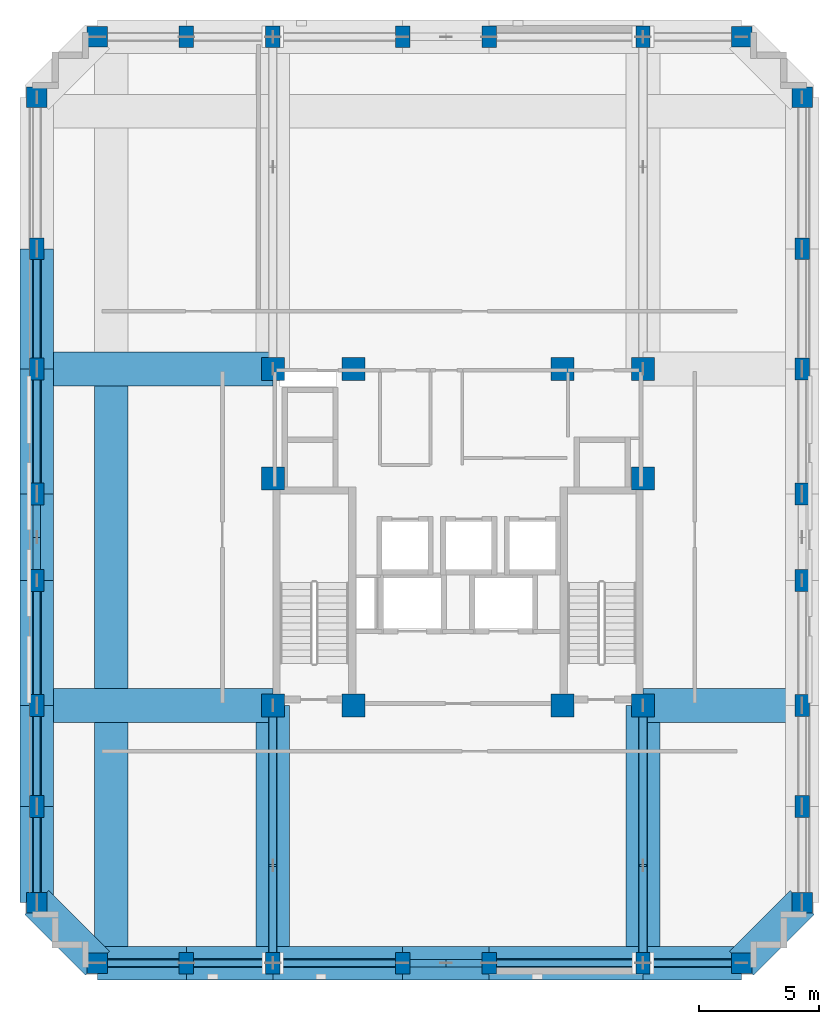
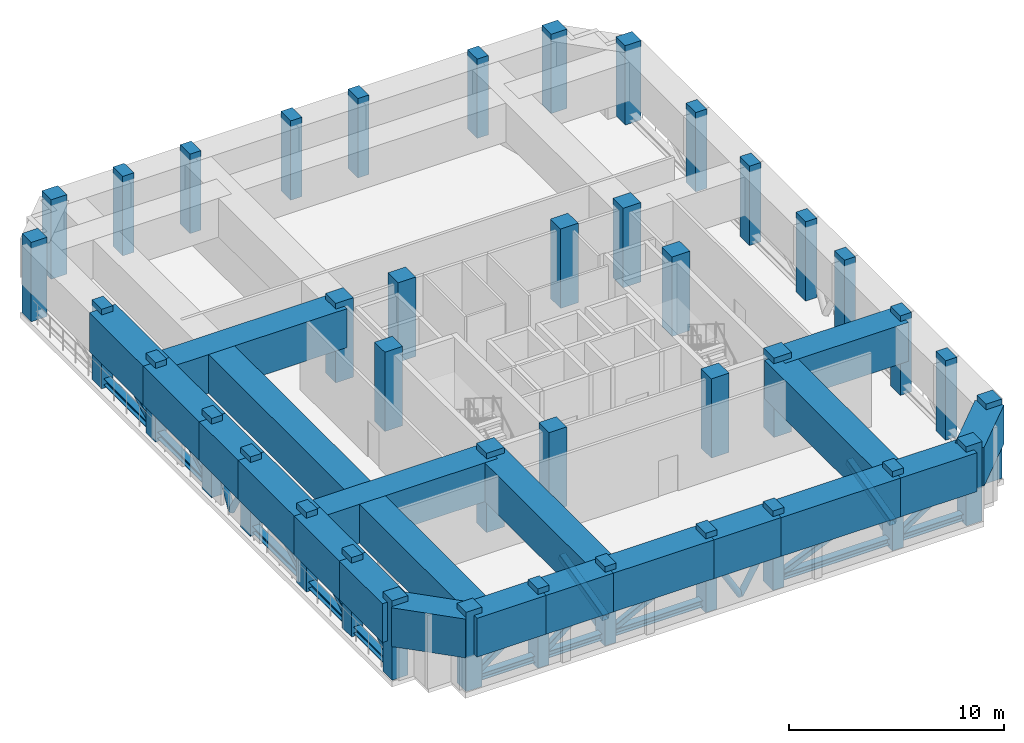
# One storey, part 1 of 12: 40 columns, 28 members, 21 beams.
"""IFC4 building model written with IfcOpenShell, lengths in metres."""

import ifcopenshell
import ifcopenshell.guid

model = None  # the IFC model being written
_history = None  # IfcOwnerHistory: only IFC2X3 demands one
_inside = {}  # id of a spatial element -> (the spatial element, [elements in it])
_under = {}  # id of a project, library or spatial element -> (it, [spatial elements below it])
_declared = {}  # id of a project -> (the project, [libraries it declares])
_typed = {}  # id of a type object -> (the type object, [elements of that type])
_made_of = {}  # id of a material, layer set ... -> (it, [elements and type objects made of it])


def new_model(schema):
    """Start an empty IFC model of exactly this schema.

    Asked for "IFC4X3", IfcOpenShell would pick the latest addendum, in which some entities
    have other attributes; the version numbers below select the first issue.
    IFC2X3 requires an IfcOwnerHistory on every rooted entity: one is made here for all.
    """
    global model, _history
    if schema == "IFC4X3":
        model = ifcopenshell.file(schema_version=(4, 3, 0, 0))
    else:
        model = ifcopenshell.file(schema=schema)
    _inside.clear()
    _under.clear()
    _declared.clear()
    _typed.clear()
    _made_of.clear()
    _history = None
    if model.schema == "IFC2X3":
        org = make("IfcOrganization", Name="unknown")
        user = make(
            "IfcPersonAndOrganization",
            ThePerson=make("IfcPerson", FamilyName="unknown"),
            TheOrganization=org,
        )
        app = make(
            "IfcApplication",
            ApplicationDeveloper=org,
            Version="unknown",
            ApplicationFullName="unknown",
            ApplicationIdentifier="unknown",
        )
        _history = make(
            "IfcOwnerHistory",
            OwningUser=user,
            OwningApplication=app,
            ChangeAction="ADDED",
            CreationDate=0,
        )
    return model


def make(cls, **values):
    """One entity of the class cls with the attributes given. An attribute that is None is left unset."""
    return model.create_entity(
        cls, **{name: value for name, value in values.items() if value is not None}
    )


def rooted(cls, **values):
    """An entity with a GlobalId (a new one), such as an element, a storey or a relation."""
    return make(cls, GlobalId=ifcopenshell.guid.new(), OwnerHistory=_history, **values)


def si_unit(unit_type, name, prefix=None):
    """IfcSIUnit, for example si_unit("LENGTHUNIT", "METRE", prefix="MILLI")."""
    return make("IfcSIUnit", UnitType=unit_type, Prefix=prefix, Name=name)


def derived_unit(unit_type, elements):
    """IfcDerivedUnit: a product of units, each with its exponent."""
    return make(
        "IfcDerivedUnit",
        Elements=[
            make("IfcDerivedUnitElement", Unit=unit, Exponent=power)
            for unit, power in elements
        ],
        UnitType=unit_type,
    )


def assignment(units):
    """IfcUnitAssignment: the units of a project."""
    return None if units is None else make("IfcUnitAssignment", Units=units)


def point(xyz):
    """IfcCartesianPoint."""
    return None if xyz is None else make("IfcCartesianPoint", Coordinates=xyz)


def direction(xyz):
    """IfcDirection."""
    return None if xyz is None else make("IfcDirection", DirectionRatios=xyz)


def frame(location, z_axis=None, x_axis=None):
    """IfcAxis2Placement3D, a coordinate frame: its origin and axes. An axis left out is left unset."""
    return make(
        "IfcAxis2Placement3D",
        Location=point(location),
        Axis=direction(z_axis),
        RefDirection=direction(x_axis),
    )


def frame_2d(location, x_axis=None):
    """IfcAxis2Placement2D, a coordinate frame in the plane: its origin and x axis."""
    return make(
        "IfcAxis2Placement2D", Location=point(location), RefDirection=direction(x_axis)
    )


def origin():
    """The frame at (0, 0, 0) with its axes left unset."""
    return frame((0.0, 0.0, 0.0))


def origin_2d():
    """The frame at (0, 0) in the plane with its x axis left unset."""
    return frame_2d((0.0, 0.0))


def place(relative_to, where):
    """IfcLocalPlacement: puts the frame where relative to a parent placement (None: the world)."""
    return make(
        "IfcLocalPlacement", PlacementRelTo=relative_to, RelativePlacement=where
    )


def context(
    kind, dimensions, precision=None, world=None, true_north=None, identifier=None
):
    """IfcGeometricRepresentationContext, for example the 3D "Model" context."""
    return make(
        "IfcGeometricRepresentationContext",
        ContextIdentifier=identifier,
        ContextType=kind,
        CoordinateSpaceDimension=dimensions,
        Precision=precision,
        WorldCoordinateSystem=world,
        TrueNorth=true_north,
    )


def subcontext(parent, identifier, kind, view, scale=None):
    """IfcGeometricRepresentationSubContext, for example "Body" below "Model"."""
    return make(
        "IfcGeometricRepresentationSubContext",
        ContextIdentifier=identifier,
        ContextType=kind,
        ParentContext=parent,
        TargetScale=scale,
        TargetView=view,
    )


def project(units=None, contexts=None):
    """IfcProject with its units and contexts."""
    return rooted(
        "IfcProject",
        Name="project",
        RepresentationContexts=contexts,
        UnitsInContext=assignment(units),
    )


def spatial(cls, under=None, at=None, **own):
    """A site, building, storey or space (cls), placed at a placement, below another one or the project."""
    s = rooted(cls, ObjectPlacement=at, **own)
    if under is not None:
        _under.setdefault(under.id(), (under, []))[1].append(s)
    return s


def profile(cls, at=None, kind="AREA", **sizes):
    """A parametric profile (cls). Its sizes go by their IFC names, for example OverallWidth=200.0."""
    return make(cls, ProfileType=kind, Position=at, **sizes)


def rectangle(**sizes):
    """IfcRectangleProfileDef."""
    return profile("IfcRectangleProfileDef", **sizes)


def hollow_rectangle(**sizes):
    """IfcRectangleHollowProfileDef."""
    return profile("IfcRectangleHollowProfileDef", **sizes)


def hollow_circle(**sizes):
    """IfcCircleHollowProfileDef."""
    return profile("IfcCircleHollowProfileDef", **sizes)


def i_section(**sizes):
    """IfcIShapeProfileDef."""
    return profile("IfcIShapeProfileDef", **sizes)


def extrude(swept, where, along, depth):
    """IfcExtrudedAreaSolid: the profile swept, set in the frame where, extruded along a direction by depth."""
    return make(
        "IfcExtrudedAreaSolid",
        SweptArea=swept,
        Position=where,
        ExtrudedDirection=direction(along),
        Depth=depth,
    )


def shape(context_of_items, identifier, shape_type, items):
    """IfcShapeRepresentation: the items that make up one representation, for example the "Body"."""
    return make(
        "IfcShapeRepresentation",
        ContextOfItems=context_of_items,
        RepresentationIdentifier=identifier,
        RepresentationType=shape_type,
        Items=items,
    )


def material(Name=None, Category=None):
    """IfcMaterial."""
    return make("IfcMaterial", Name=Name, Category=Category)


def material_profile(
    of_material, cross_section, Name=None, Category=None, Priority=None
):
    """IfcMaterialProfile: a cross section and its material."""
    return make(
        "IfcMaterialProfile",
        Name=Name,
        Material=of_material,
        Profile=cross_section,
        Priority=Priority,
        Category=Category,
    )


def profile_set(profiles, Name=None, composite=None):
    """IfcMaterialProfileSet."""
    return make(
        "IfcMaterialProfileSet",
        Name=Name,
        MaterialProfiles=profiles,
        CompositeProfile=composite,
    )


def made_of(thing, what):
    """Note that an element or type object is made of a material, layer set ...; save() writes the relation."""
    if what is not None:
        _made_of.setdefault(what.id(), (what, []))[1].append(thing)
    return thing


def type_object(cls, material=None, **own):
    """A type object (cls), such as IfcWallType, which elements share."""
    return made_of(rooted(cls, **own), material)


def element(
    cls,
    number,
    at=None,
    inside=None,
    cuts=None,
    type_object=None,
    material=None,
    context=None,
    identifier="Body",
    shape_type=None,
    held_by="IfcProductDefinitionShape",
    body=None,
    shapes=None,
    **own,
):
    """One element of the class cls, such as IfcWall. Its Tag is "e" and its number.

    at: its placement. inside: the storey or other place that contains it. cuts: it is an
    opening in that element (IfcRelVoidsElement). A single representation is given by context,
    identifier, shape_type and body (its items); several are given by shapes. held_by: the class
    of the entity that holds the representations. save() writes the other relations.
    """
    e = rooted(cls, Tag="e%d" % number, ObjectPlacement=at, **own)
    if body is not None:
        shapes = [shape(context, identifier, shape_type, body)]
    if shapes is not None:
        e.Representation = make(held_by, Representations=shapes)
    if inside is not None:
        _inside.setdefault(inside.id(), (inside, []))[1].append(e)
    if cuts is not None:
        rooted(
            "IfcRelVoidsElement", RelatingBuildingElement=cuts, RelatedOpeningElement=e
        )
    if type_object is not None:
        _typed.setdefault(type_object.id(), (type_object, []))[1].append(e)
    return made_of(e, material)


def aggregate(whole, parts):
    """IfcRelAggregates: a whole, such as a stair, and the parts it consists of."""
    return rooted("IfcRelAggregates", RelatingObject=whole, RelatedObjects=parts)


def save(model, path):
    """Write the relations noted so far, then the file.

    IfcRelAggregates (storeys below a building ...), IfcRelContainedInSpatialStructure (elements
    in a storey), IfcRelDefinesByType, IfcRelAssociatesMaterial and IfcRelDeclares: one each for
    every whole, place, type object, material and project.
    """
    for whole, parts in _under.values():
        aggregate(whole, parts)
    for where, things in _inside.values():
        rooted(
            "IfcRelContainedInSpatialStructure",
            RelatedElements=things,
            RelatingStructure=where,
        )
    for kind, things in _typed.values():
        rooted("IfcRelDefinesByType", RelatedObjects=things, RelatingType=kind)
    for what, things in _made_of.values():
        rooted("IfcRelAssociatesMaterial", RelatedObjects=things, RelatingMaterial=what)
    for by, libraries in _declared.values():
        rooted("IfcRelDeclares", RelatingContext=by, RelatedDefinitions=libraries)
    model.write(path)


model = new_model("IFC4")

# Units and contexts
model_context = context("Model", 3, precision=1e-05, world=origin(), true_north=direction((0.0, 1.0)))
body_context = subcontext(model_context, "Body", "Model", "MODEL_VIEW")
ifc_project = project(units=[si_unit("LENGTHUNIT", "METRE"), si_unit("AREAUNIT", "SQUARE_METRE"), si_unit("VOLUMEUNIT", "CUBIC_METRE"), si_unit("PLANEANGLEUNIT", "RADIAN"), si_unit("MASSUNIT", "GRAM", prefix="KILO"), derived_unit("THERMALTRANSMITTANCEUNIT", [(si_unit("MASSUNIT", "GRAM", prefix="KILO"), 1), (si_unit("TIMEUNIT", "SECOND"), -3), (si_unit("THERMODYNAMICTEMPERATUREUNIT", "KELVIN"), -1)])], contexts=[model_context])

# Site, building, storey
site_placement = place(None, origin())
site = spatial("IfcSite", under=ifc_project, at=site_placement, CompositionType="ELEMENT")
building_placement = place(site_placement, origin())
building = spatial("IfcBuilding", under=site, at=building_placement, Name="Korrvale Station Residences", CompositionType="ELEMENT")
storey_placement = place(building_placement, frame((0.0, 0.0, 169.89990234375)))
storey = spatial("IfcBuildingStorey", under=building, at=storey_placement, Name="L49", CompositionType="ELEMENT", Elevation=169.89990234375)

# Columns
ifc_material_1 = material(Name="Concrete C60/75", Category="concrete")
ifc_material_profile_1 = material_profile(ifc_material_1, rectangle(XDim=0.60009765625, YDim=0.89990234375, at=origin_2d()), Name="RC600x900")
ifc_profile_set_1 = profile_set([ifc_material_profile_1], Name="Concrete C60/75")
column_type_1 = type_object("IfcColumnType", Name="COL-C-RC600x900-C6075", PredefinedType="COLUMN", material=ifc_profile_set_1)
for number, where, z_axis, x_axis, name in (
    (1, (14.199951171875, 4.280029296875, 0.0), (0.0, 0.0, 1.0), (1.0, 0.0, 0.0), "L49 Bundled-Tube South Column 02"),
    (2, (17.800048828125, 4.280029296875, 0.0), (0.0, 0.0, 1.0), (1.0, 0.0, 0.0), "L49 Bundled-Tube South Column 03"),
    (3, (23.199951171875, 4.280029296875, 0.0), (0.0, 0.0, 1.0), (1.0, 0.0, 0.0), "L49 Bundled-Tube South Column 04"),
    (4, (26.800048828125, 4.280029296875, 0.0), (0.0, 0.0, 1.0), (1.0, 0.0, 0.0), "L49 Bundled-Tube South Column 05"),
    (5, (33.199951171875, 4.280029296875, 0.0), (0.0, 0.0, 1.0), (1.0, 0.0, 0.0), "L49 Bundled-Tube South Column 06"),
    (6, (14.199951171875, 42.820068359375, 0.0), (0.0, 0.0, 1.0), (1.0, 0.0, 0.0), "L49 Bundled-Tube North Column 09"),
    (7, (17.800048828125, 42.820068359375, 0.0), (0.0, 0.0, 1.0), (1.0, 0.0, 0.0), "L49 Bundled-Tube North Column 10"),
    (8, (23.199951171875, 42.820068359375, 0.0), (0.0, 0.0, 1.0), (1.0, 0.0, 0.0), "L49 Bundled-Tube North Column 11"),
    (9, (26.800048828125, 42.820068359375, 0.0), (0.0, 0.0, 1.0), (1.0, 0.0, 0.0), "L49 Bundled-Tube North Column 12"),
    (10, (33.199951171875, 42.820068359375, 0.0), (0.0, 0.0, 1.0), (1.0, 0.0, 0.0), "L49 Bundled-Tube North Column 13"),
    (11, (7.97998046875, 10.800048828125, 0.0), (0.0, 0.0, 1.0), (1.0, 0.0, 0.0), "L49 Bundled-Tube West Column 16"),
    (12, (7.97998046875, 15.0, 0.0), (0.0, 0.0, 1.0), (1.0, 0.0, 0.0), "L49 Bundled-Tube West Column 17"),
    (13, (7.97998046875, 20.199951171875, 0.0), (0.0, 0.0, 1.0), (1.0, 0.0, 0.0), "L49 Bundled-Tube West Column 18"),
    (14, (7.97998046875, 23.800048828125, 0.0), (0.0, 0.0, 1.0), (1.0, 0.0, 0.0), "L49 Bundled-Tube West Column 19"),
    (15, (7.97998046875, 29.0, 0.0), (0.0, 0.0, 1.0), (1.0, 0.0, 0.0), "L49 Bundled-Tube West Column 20"),
    (16, (7.97998046875, 34.0, 0.0), (0.0, 0.0, 1.0), (1.0, 0.0, 0.0), "L49 Bundled-Tube West Column 21"),
    (17, (39.820068359375, 10.800048828125, 0.0), (0.0, 0.0, 1.0), (1.0, 0.0, 0.0), "L49 Bundled-Tube East Column 24"),
    (18, (39.820068359375, 15.0, 0.0), (0.0, 0.0, 1.0), (1.0, 0.0, 0.0), "L49 Bundled-Tube East Column 25"),
    (19, (39.820068359375, 20.199951171875, 0.0), (0.0, 0.0, 1.0), (1.0, 0.0, 0.0), "L49 Bundled-Tube East Column 26"),
    (20, (39.820068359375, 23.800048828125, 0.0), (0.0, 0.0, 1.0), (1.0, 0.0, 0.0), "L49 Bundled-Tube East Column 27"),
    (21, (39.820068359375, 29.0, 0.0), (0.0, 0.0, 1.0), (1.0, 0.0, 0.0), "L49 Bundled-Tube East Column 28"),
    (22, (39.820068359375, 34.0, 0.0), (0.0, 0.0, 1.0), (1.0, 0.0, 0.0), "L49 Bundled-Tube East Column 29"),
):
    element("IfcColumn", number, at=place(storey_placement, frame(where, z_axis=z_axis, x_axis=x_axis)), inside=storey, type_object=column_type_1, Name=name, PredefinedType="COLUMN", context=body_context, shape_type="SweptSolid", body=[
        extrude(rectangle(XDim=0.60009765625, YDim=0.89990234375, at=origin_2d()), origin(), (0.0, 0.0, 1.0), 4.5),
    ])
ifc_material_profile_2 = material_profile(ifc_material_1, rectangle(XDim=0.85009765625, YDim=0.85009765625, at=origin_2d()), Name="RC850x850")
ifc_profile_set_2 = profile_set([ifc_material_profile_2], Name="Concrete C60/75")
column_type_2 = type_object("IfcColumnType", Name="COL-C-RC850x850-C6075", PredefinedType="COLUMN", material=ifc_profile_set_2)
for number, where, z_axis, x_axis, name in (
    (23, (10.5, 4.280029296875, 0.0), (0.0, 0.0, 1.0), (1.0, 0.0, 0.0), "L49 Bundled-Tube South Column 01"),
    (24, (37.300048828125, 4.280029296875, 0.0), (0.0, 0.0, 1.0), (1.0, 0.0, 0.0), "L49 Bundled-Tube South Column 07"),
    (25, (10.5, 42.820068359375, 0.0), (0.0, 0.0, 1.0), (1.0, 0.0, 0.0), "L49 Bundled-Tube North Column 08"),
    (26, (37.300048828125, 42.820068359375, 0.0), (0.0, 0.0, 1.0), (1.0, 0.0, 0.0), "L49 Bundled-Tube North Column 14"),
    (27, (7.97998046875, 6.800048828125, 0.0), (0.0, 0.0, 1.0), (1.0, 0.0, 0.0), "L49 Bundled-Tube West Column 15"),
    (28, (7.97998046875, 40.300048828125, 0.0), (0.0, 0.0, 1.0), (1.0, 0.0, 0.0), "L49 Bundled-Tube West Column 22"),
    (29, (39.820068359375, 6.800048828125, 0.0), (0.0, 0.0, 1.0), (1.0, 0.0, 0.0), "L49 Bundled-Tube East Column 23"),
    (30, (39.820068359375, 40.300048828125, 0.0), (0.0, 0.0, 1.0), (1.0, 0.0, 0.0), "L49 Bundled-Tube East Column 30"),
):
    element("IfcColumn", number, at=place(storey_placement, frame(where, z_axis=z_axis, x_axis=x_axis)), inside=storey, type_object=column_type_2, Name=name, PredefinedType="COLUMN", context=body_context, shape_type="SweptSolid", body=[
        extrude(rectangle(XDim=0.85009765625, YDim=0.85009765625, at=origin_2d()), origin(), (0.0, 0.0, 1.0), 4.5),
    ])
ifc_material_profile_3 = material_profile(ifc_material_1, rectangle(XDim=0.949951171875, YDim=0.949951171875, at=origin_2d()), Name="RC950x950")
ifc_profile_set_3 = profile_set([ifc_material_profile_3], Name="Concrete C60/75")
column_type_3 = type_object("IfcColumnType", Name="COL-C-RC950x950-C6075", PredefinedType="COLUMN", material=ifc_profile_set_3)
for number, where, z_axis, x_axis, name in (
    (31, (17.800048828125, 15.0, 0.0), (0.0, 0.0, 1.0), (1.0, 0.0, 0.0), "L49 Core Column 01"),
    (32, (21.14990234375, 15.0, 0.0), (0.0, 0.0, 1.0), (1.0, 0.0, 0.0), "L49 Core Column 02"),
    (33, (29.85009765625, 15.0, 0.0), (0.0, 0.0, 1.0), (1.0, 0.0, 0.0), "L49 Core Column 03"),
    (34, (33.199951171875, 15.0, 0.0), (0.0, 0.0, 1.0), (1.0, 0.0, 0.0), "L49 Core Column 04"),
    (35, (17.800048828125, 29.0, 0.0), (0.0, 0.0, 1.0), (1.0, 0.0, 0.0), "L49 Core Column 05"),
    (36, (21.14990234375, 29.0, 0.0), (0.0, 0.0, 1.0), (1.0, 0.0, 0.0), "L49 Core Column 06"),
    (37, (29.85009765625, 29.0, 0.0), (0.0, 0.0, 1.0), (1.0, 0.0, 0.0), "L49 Core Column 07"),
    (38, (33.199951171875, 29.0, 0.0), (0.0, 0.0, 1.0), (1.0, 0.0, 0.0), "L49 Core Column 08"),
    (39, (17.800048828125, 24.449951171875, 0.0), (0.0, 0.0, 1.0), (1.0, 0.0, 0.0), "L49 Core Column 09"),
    (40, (33.199951171875, 24.449951171875, 0.0), (0.0, 0.0, 1.0), (1.0, 0.0, 0.0), "L49 Core Column 10"),
):
    element("IfcColumn", number, at=place(storey_placement, frame(where, z_axis=z_axis, x_axis=x_axis)), inside=storey, type_object=column_type_3, Name=name, PredefinedType="COLUMN", context=body_context, shape_type="SweptSolid", body=[
        extrude(rectangle(XDim=0.949951171875, YDim=0.949951171875, at=origin_2d()), origin(), (0.0, 0.0, 1.0), 4.5),
    ])

# Beams
ifc_material_profile_4 = material_profile(ifc_material_1, rectangle(XDim=1.39990234375, YDim=2.199951171875, at=origin_2d()), Name="RCB1400x2200")
ifc_profile_set_4 = profile_set([ifc_material_profile_4], Name="Concrete C60/75")
beam_type_1 = type_object("IfcBeamType", Name="BM-SPB-RCB1400x2200-C6075", PredefinedType="SPANDREL", material=ifc_profile_set_4)
beam_1_placement = place(storey_placement, frame((10.5, 4.280029296875, 3.080078125), z_axis=(1.0, 0.0, 0.0), x_axis=(0.0, 1.0, 0.0)))
element("IfcBeam", 41, at=beam_1_placement, inside=storey, type_object=beam_type_1, Name="L49 South Tube Spandrel 01", PredefinedType="SPANDREL", context=body_context, shape_type="SweptSolid", body=[
    extrude(rectangle(XDim=1.39990234375, YDim=2.199951171875, at=origin_2d()), origin(), (0.0, 0.0, 1.0), 3.699951171875),
])
beam_2_placement = place(storey_placement, frame((14.199951171875, 4.280029296875, 3.080078125), z_axis=(1.0, 0.0, 0.0), x_axis=(0.0, 1.0, 0.0)))
element("IfcBeam", 42, at=beam_2_placement, inside=storey, type_object=beam_type_1, Name="L49 South Tube Spandrel 02", PredefinedType="SPANDREL", context=body_context, shape_type="SweptSolid", body=[
    extrude(rectangle(XDim=1.39990234375, YDim=2.199951171875, at=origin_2d()), origin(), (0.0, 0.0, 1.0), 3.60009765625),
])
beam_3_placement = place(storey_placement, frame((17.800048828125, 4.280029296875, 3.080078125), z_axis=(1.0, 0.0, 0.0), x_axis=(0.0, 1.0, 0.0)))
element("IfcBeam", 43, at=beam_3_placement, inside=storey, type_object=beam_type_1, Name="L49 South Tube Spandrel 03", PredefinedType="SPANDREL", context=body_context, shape_type="SweptSolid", body=[
    extrude(rectangle(XDim=1.39990234375, YDim=2.199951171875, at=origin_2d()), origin(), (0.0, 0.0, 1.0), 5.39990234375),
])
beam_4_placement = place(storey_placement, frame((23.199951171875, 4.280029296875, 3.080078125), z_axis=(1.0, 0.0, 0.0), x_axis=(0.0, 1.0, 0.0)))
element("IfcBeam", 44, at=beam_4_placement, inside=storey, type_object=beam_type_1, Name="L49 South Tube Spandrel 04", PredefinedType="SPANDREL", context=body_context, shape_type="SweptSolid", body=[
    extrude(rectangle(XDim=1.39990234375, YDim=2.199951171875, at=origin_2d()), origin(), (0.0, 0.0, 1.0), 3.60009765625),
])
beam_5_placement = place(storey_placement, frame((26.800048828125, 4.280029296875, 3.080078125), z_axis=(1.0, 0.0, 0.0), x_axis=(0.0, 1.0, 0.0)))
element("IfcBeam", 45, at=beam_5_placement, inside=storey, type_object=beam_type_1, Name="L49 South Tube Spandrel 05", PredefinedType="SPANDREL", context=body_context, shape_type="SweptSolid", body=[
    extrude(rectangle(XDim=1.39990234375, YDim=2.199951171875, at=origin_2d()), origin(), (0.0, 0.0, 1.0), 6.39990234375),
])
beam_6_placement = place(storey_placement, frame((33.199951171875, 4.280029296875, 3.080078125), z_axis=(1.0, 0.0, 0.0), x_axis=(0.0, 1.0, 0.0)))
element("IfcBeam", 46, at=beam_6_placement, inside=storey, type_object=beam_type_1, Name="L49 South Tube Spandrel 06", PredefinedType="SPANDREL", context=body_context, shape_type="SweptSolid", body=[
    extrude(rectangle(XDim=1.39990234375, YDim=2.199951171875, at=origin_2d()), origin(), (0.0, 0.0, 1.0), 4.10009765625),
])
beam_7_placement = place(storey_placement, frame((7.97998046875, 6.800048828125, 3.080078125), z_axis=(0.0, 1.0, 0.0), x_axis=(-1.0, 0.0, 0.0)))
element("IfcBeam", 47, at=beam_7_placement, inside=storey, type_object=beam_type_1, Name="L49 West Tube Spandrel 13", PredefinedType="SPANDREL", context=body_context, shape_type="SweptSolid", body=[
    extrude(rectangle(XDim=1.39990234375, YDim=2.199951171875, at=origin_2d()), origin(), (0.0, 0.0, 1.0), 4.0),
])
beam_8_placement = place(storey_placement, frame((7.97998046875, 10.800048828125, 3.080078125), z_axis=(0.0, 1.0, 0.0), x_axis=(-1.0, 0.0, 0.0)))
element("IfcBeam", 48, at=beam_8_placement, inside=storey, type_object=beam_type_1, Name="L49 West Tube Spandrel 14", PredefinedType="SPANDREL", context=body_context, shape_type="SweptSolid", body=[
    extrude(rectangle(XDim=1.39990234375, YDim=2.199951171875, at=origin_2d()), origin(), (0.0, 0.0, 1.0), 4.199951171875),
])
beam_9_placement = place(storey_placement, frame((7.97998046875, 15.0, 3.080078125), z_axis=(0.0, 1.0, 0.0), x_axis=(-1.0, 0.0, 0.0)))
element("IfcBeam", 49, at=beam_9_placement, inside=storey, type_object=beam_type_1, Name="L49 West Tube Spandrel 15", PredefinedType="SPANDREL", context=body_context, shape_type="SweptSolid", body=[
    extrude(rectangle(XDim=1.39990234375, YDim=2.199951171875, at=origin_2d()), origin(), (0.0, 0.0, 1.0), 5.199951171875),
])
beam_10_placement = place(storey_placement, frame((7.97998046875, 20.199951171875, 3.080078125), z_axis=(0.0, 1.0, 0.0), x_axis=(-1.0, 0.0, 0.0)))
element("IfcBeam", 50, at=beam_10_placement, inside=storey, type_object=beam_type_1, Name="L49 West Tube Spandrel 16", PredefinedType="SPANDREL", context=body_context, shape_type="SweptSolid", body=[
    extrude(rectangle(XDim=1.39990234375, YDim=2.199951171875, at=origin_2d()), origin(), (0.0, 0.0, 1.0), 3.60009765625),
])
beam_11_placement = place(storey_placement, frame((7.97998046875, 23.800048828125, 3.080078125), z_axis=(0.0, 1.0, 0.0), x_axis=(-1.0, 0.0, 0.0)))
element("IfcBeam", 51, at=beam_11_placement, inside=storey, type_object=beam_type_1, Name="L49 West Tube Spandrel 17", PredefinedType="SPANDREL", context=body_context, shape_type="SweptSolid", body=[
    extrude(rectangle(XDim=1.39990234375, YDim=2.199951171875, at=origin_2d()), origin(), (0.0, 0.0, 1.0), 5.199951171875),
])
beam_12_placement = place(storey_placement, frame((7.97998046875, 29.0, 3.080078125), z_axis=(0.0, 1.0, 0.0), x_axis=(-1.0, 0.0, 0.0)))
element("IfcBeam", 52, at=beam_12_placement, inside=storey, type_object=beam_type_1, Name="L49 West Tube Spandrel 18", PredefinedType="SPANDREL", context=body_context, shape_type="SweptSolid", body=[
    extrude(rectangle(XDim=1.39990234375, YDim=2.199951171875, at=origin_2d()), origin(), (0.0, 0.0, 1.0), 5.0),
])
for number, where, z_axis, x_axis, name in (
    (53, (10.5, 4.280029296875, 3.080078125), (-0.707106781187, 0.707106781187, 0.0), (-0.707106781187, -0.707106781187, 0.0), "L49 Serrated Corner Spandrel 27"),
    (54, (37.300048828125, 4.280029296875, 3.080078125), (0.707106781187, 0.707106781187, 0.0), (-0.707106781187, 0.707106781187, 0.0), "L49 Serrated Corner Spandrel 28"),
):
    element("IfcBeam", number, at=place(storey_placement, frame(where, z_axis=z_axis, x_axis=x_axis)), inside=storey, type_object=beam_type_1, Name=name, PredefinedType="SPANDREL", context=body_context, shape_type="SweptSolid", body=[
        extrude(rectangle(XDim=1.39990234375, YDim=2.199951171875, at=origin_2d()), origin(), (0.0, 0.0, 1.0), 3.56396484375),
    ])
ifc_material_profile_5 = material_profile(ifc_material_1, rectangle(XDim=1.39990234375, YDim=2.199951171875, at=origin_2d()), Name="RCB1400x2200")
ifc_profile_set_5 = profile_set([ifc_material_profile_5], Name="Concrete C60/75")
beam_type_2 = type_object("IfcBeamType", Name="BM-TG-RCB1400x2200-C6075", PredefinedType="USERDEFINED", material=ifc_profile_set_5)
for number, where, z_axis, x_axis, name in (
    (55, (17.800048828125, 4.280029296875, 3.080078125), (0.0, 1.0, 0.0), (-1.0, 0.0, 0.0), "TG2 L49 Bundled-Tube Transfer Web Girder 01"),
    (56, (33.199951171875, 4.280029296875, 3.080078125), (0.0, 1.0, 0.0), (-1.0, 0.0, 0.0), "TG2 L49 Bundled-Tube Transfer Web Girder 02"),
):
    element("IfcBeam", number, at=place(storey_placement, frame(where, z_axis=z_axis, x_axis=x_axis)), inside=storey, type_object=beam_type_2, Name=name, ObjectType="TRANSFER GIRDER", PredefinedType="USERDEFINED", context=body_context, shape_type="SweptSolid", body=[
        extrude(rectangle(XDim=1.39990234375, YDim=2.199951171875, at=origin_2d()), origin(), (0.0, 0.0, 1.0), 10.719970703125),
    ])
beam_13_placement = place(storey_placement, frame((7.97998046875, 15.0, 3.080078125), z_axis=(1.0, 0.0, 0.0), x_axis=(0.0, 1.0, 0.0)))
element("IfcBeam", 57, at=beam_13_placement, inside=storey, type_object=beam_type_2, Name="TG2 L49 Bundled-Tube Transfer Web Girder 05", ObjectType="TRANSFER GIRDER", PredefinedType="USERDEFINED", context=body_context, shape_type="SweptSolid", body=[
    extrude(rectangle(XDim=1.39990234375, YDim=2.199951171875, at=origin_2d()), origin(), (0.0, 0.0, 1.0), 9.820068359375),
])
beam_14_placement = place(storey_placement, frame((33.199951171875, 15.0, 3.080078125), z_axis=(1.0, 0.0, 0.0), x_axis=(0.0, 1.0, 0.0)))
element("IfcBeam", 58, at=beam_14_placement, inside=storey, type_object=beam_type_2, Name="TG2 L49 Bundled-Tube Transfer Web Girder 06", ObjectType="TRANSFER GIRDER", PredefinedType="USERDEFINED", context=body_context, shape_type="SweptSolid", body=[
    extrude(rectangle(XDim=1.39990234375, YDim=2.199951171875, at=origin_2d()), origin(), (0.0, 0.0, 1.0), 6.6201171875),
])
beam_15_placement = place(storey_placement, frame((7.97998046875, 29.0, 3.080078125), z_axis=(1.0, 0.0, 0.0), x_axis=(0.0, 1.0, 0.0)))
element("IfcBeam", 59, at=beam_15_placement, inside=storey, type_object=beam_type_2, Name="TG2 L49 Bundled-Tube Transfer Web Girder 07", ObjectType="TRANSFER GIRDER", PredefinedType="USERDEFINED", context=body_context, shape_type="SweptSolid", body=[
    extrude(rectangle(XDim=1.39990234375, YDim=2.199951171875, at=origin_2d()), origin(), (0.0, 0.0, 1.0), 9.820068359375),
])
beam_16_placement = place(storey_placement, frame((11.080078125, 4.280029296875, 3.080078125), z_axis=(0.0, 1.0, 0.0), x_axis=(-1.0, 0.0, 0.0)))
element("IfcBeam", 60, at=beam_16_placement, inside=storey, type_object=beam_type_2, Name="TG2 L49 Setback Perimeter Transfer Girder 04", ObjectType="TRANSFER GIRDER", PredefinedType="USERDEFINED", context=body_context, shape_type="SweptSolid", body=[
    extrude(rectangle(XDim=1.39990234375, YDim=2.199951171875, at=origin_2d()), origin(), (0.0, 0.0, 1.0), 10.719970703125),
])
beam_17_placement = place(storey_placement, frame((11.080078125, 15.0, 3.080078125), z_axis=(0.0, 1.0, 0.0), x_axis=(-1.0, 0.0, 0.0)))
element("IfcBeam", 61, at=beam_17_placement, inside=storey, type_object=beam_type_2, Name="TG2 L49 Setback Perimeter Transfer Girder 05", ObjectType="TRANSFER GIRDER", PredefinedType="USERDEFINED", context=body_context, shape_type="SweptSolid", body=[
    extrude(rectangle(XDim=1.39990234375, YDim=2.199951171875, at=origin_2d()), origin(), (0.0, 0.0, 1.0), 14.0),
])

# Members
ifc_material_2 = material(Name="Steel S355", Category="steel")
ifc_material_profile_6 = material_profile(ifc_material_2, hollow_rectangle(XDim=0.3046875, YDim=0.3046875, WallThickness=0.015869140625, InnerFilletRadius=0.015869140625, OuterFilletRadius=0.03173828125, at=origin_2d()), Name="HSS305x305x16")
ifc_profile_set_6 = profile_set([ifc_material_profile_6], Name="Steel S355")
member_type_1 = type_object("IfcMemberType", Name="MBR-BR-BT-HSS305x305x16", PredefinedType="BRACE", material=ifc_profile_set_6)
member_1_placement = place(storey_placement, frame((10.5, 4.280029296875, 0.35009765625), z_axis=(0.80259171482, 0.0, 0.596528741388), x_axis=(0.0, 1.0, 0.0)))
element("IfcMember", 62, at=member_1_placement, inside=storey, type_object=member_type_1, Name="L49 Belt Truss Web Diagonal 01", PredefinedType="BRACE", context=body_context, shape_type="SweptSolid", body=[
    extrude(hollow_rectangle(XDim=0.3046875, YDim=0.3046875, WallThickness=0.015869140625, InnerFilletRadius=0.015869140625, OuterFilletRadius=0.03173828125, at=origin_2d()), origin(), (0.0, 0.0, 1.0), 4.610107421875),
])
member_2_placement = place(storey_placement, frame((14.199951171875, 4.280029296875, 0.35009765625), z_axis=(0.794678950836, 0.0, 0.607029954036), x_axis=(0.0, 1.0, 0.0)))
element("IfcMember", 63, at=member_2_placement, inside=storey, type_object=member_type_1, Name="L49 Belt Truss Web Diagonal 02", PredefinedType="BRACE", context=body_context, shape_type="SweptSolid", body=[
    extrude(hollow_rectangle(XDim=0.3046875, YDim=0.3046875, WallThickness=0.015869140625, InnerFilletRadius=0.015869140625, OuterFilletRadius=0.03173828125, at=origin_2d()), origin(), (0.0, 0.0, 1.0), 4.5302734375),
])
member_3_placement = place(storey_placement, frame((17.800048828125, 4.280029296875, 0.35009765625), z_axis=(0.891099136061, 0.0, 0.453808692856), x_axis=(0.0, 1.0, 0.0)))
element("IfcMember", 64, at=member_3_placement, inside=storey, type_object=member_type_1, Name="L49 Belt Truss Web Diagonal 03", PredefinedType="BRACE", context=body_context, shape_type="SweptSolid", body=[
    extrude(hollow_rectangle(XDim=0.3046875, YDim=0.3046875, WallThickness=0.015869140625, InnerFilletRadius=0.015869140625, OuterFilletRadius=0.03173828125, at=origin_2d()), origin(), (0.0, 0.0, 1.0), 6.059814453125),
])
member_4_placement = place(storey_placement, frame((26.800048828125, 4.280029296875, 0.35009765625), z_axis=(0.918771165174, 0.0, 0.394790509061), x_axis=(0.0, 1.0, 0.0)))
element("IfcMember", 65, at=member_4_placement, inside=storey, type_object=member_type_1, Name="L49 Belt Truss Web Diagonal 04", PredefinedType="BRACE", context=body_context, shape_type="SweptSolid", body=[
    extrude(hollow_rectangle(XDim=0.3046875, YDim=0.3046875, WallThickness=0.015869140625, InnerFilletRadius=0.015869140625, OuterFilletRadius=0.03173828125, at=origin_2d()), origin(), (0.0, 0.0, 1.0), 6.9658203125),
])
member_5_placement = place(storey_placement, frame((33.199951171875, 4.280029296875, 0.35009765625), z_axis=(0.830495008959, 0.0, 0.557026067697), x_axis=(0.0, 1.0, 0.0)))
element("IfcMember", 66, at=member_5_placement, inside=storey, type_object=member_type_1, Name="L49 Belt Truss Web Diagonal 05", PredefinedType="BRACE", context=body_context, shape_type="SweptSolid", body=[
    extrude(hollow_rectangle(XDim=0.3046875, YDim=0.3046875, WallThickness=0.015869140625, InnerFilletRadius=0.015869140625, OuterFilletRadius=0.03173828125, at=origin_2d()), origin(), (0.0, 0.0, 1.0), 4.93701171875),
])
member_6_placement = place(storey_placement, frame((7.97998046875, 6.800048828125, 0.35009765625), z_axis=(0.0, 0.824041924199, 0.566528822887), x_axis=(-1.0, 0.0, 0.0)))
element("IfcMember", 67, at=member_6_placement, inside=storey, type_object=member_type_1, Name="L49 Belt Truss Web Diagonal 11", PredefinedType="BRACE", context=body_context, shape_type="SweptSolid", body=[
    extrude(hollow_rectangle(XDim=0.3046875, YDim=0.3046875, WallThickness=0.015869140625, InnerFilletRadius=0.015869140625, OuterFilletRadius=0.03173828125, at=origin_2d()), origin(), (0.0, 0.0, 1.0), 4.85400390625),
])
member_7_placement = place(storey_placement, frame((7.97998046875, 10.800048828125, 0.35009765625), z_axis=(0.0, 0.836615610023, 0.547790398843), x_axis=(-1.0, 0.0, 0.0)))
element("IfcMember", 68, at=member_7_placement, inside=storey, type_object=member_type_1, Name="L49 Belt Truss Web Diagonal 12", PredefinedType="BRACE", context=body_context, shape_type="SweptSolid", body=[
    extrude(hollow_rectangle(XDim=0.3046875, YDim=0.3046875, WallThickness=0.015869140625, InnerFilletRadius=0.015869140625, OuterFilletRadius=0.03173828125, at=origin_2d()), origin(), (0.0, 0.0, 1.0), 5.020263671875),
])
for number, where, z_axis, x_axis, name in (
    (69, (7.97998046875, 15.0, 0.35009765625), (0.0, 0.883992771375, 0.467500567011), (-1.0, 0.0, 0.0), "L49 Belt Truss Web Diagonal 13"),
    (70, (7.97998046875, 23.800048828125, 0.35009765625), (0.0, 0.883992771375, 0.467500567011), (-1.0, 0.0, 0.0), "L49 Belt Truss Web Diagonal 14"),
):
    element("IfcMember", number, at=place(storey_placement, frame(where, z_axis=z_axis, x_axis=x_axis)), inside=storey, type_object=member_type_1, Name=name, PredefinedType="BRACE", context=body_context, shape_type="SweptSolid", body=[
        extrude(hollow_rectangle(XDim=0.3046875, YDim=0.3046875, WallThickness=0.015869140625, InnerFilletRadius=0.015869140625, OuterFilletRadius=0.03173828125, at=origin_2d()), origin(), (0.0, 0.0, 1.0), 5.88232421875),
    ])
member_8_placement = place(storey_placement, frame((7.97998046875, 29.0, 0.35009765625), z_axis=(0.0, 0.876215908677, 0.481918749772), x_axis=(-1.0, 0.0, 0.0)))
element("IfcMember", 71, at=member_8_placement, inside=storey, type_object=member_type_1, Name="L49 Belt Truss Web Diagonal 15", PredefinedType="BRACE", context=body_context, shape_type="SweptSolid", body=[
    extrude(hollow_rectangle(XDim=0.3046875, YDim=0.3046875, WallThickness=0.015869140625, InnerFilletRadius=0.015869140625, OuterFilletRadius=0.03173828125, at=origin_2d()), origin(), (0.0, 0.0, 1.0), 5.706298828125),
])
ifc_material_profile_7 = material_profile(ifc_material_2, hollow_circle(Radius=0.161865234375, WallThickness=0.015869140625, at=origin_2d()), Name="HSS324x16")
ifc_profile_set_7 = profile_set([ifc_material_profile_7], Name="Steel S355")
member_type_2 = type_object("IfcMemberType", Name="MBR-BR-HSS324x16", PredefinedType="BRACE", material=ifc_profile_set_7)
for number, where, z_axis, x_axis, name in (
    (72, (25.0, 4.280029296875, 0.02001953125), (-0.504568681787, 0.0, 0.863371556955), (0.0, -1.0, 0.0), "L49 S Perimeter Tube Wind Brace 1"),
    (73, (25.0, 4.280029296875, 0.02001953125), (0.504568681787, 0.0, 0.863371556955), (0.0, 1.0, 0.0), "L49 S Perimeter Tube Wind Brace 2"),
    (74, (7.97998046875, 22.0, 0.02001953125), (0.0, -0.504568681787, 0.863371556955), (1.0, 0.0, 0.0), "L49 W Perimeter Tube Wind Brace 1"),
    (75, (7.97998046875, 22.0, 0.02001953125), (0.0, 0.504568681787, 0.863371556955), (-1.0, 0.0, 0.0), "L49 W Perimeter Tube Wind Brace 2"),
):
    element("IfcMember", number, at=place(storey_placement, frame(where, z_axis=z_axis, x_axis=x_axis)), inside=storey, type_object=member_type_2, Name=name, PredefinedType="BRACE", context=body_context, shape_type="SweptSolid", body=[
        extrude(hollow_circle(Radius=0.161865234375, WallThickness=0.015869140625, at=origin_2d()), origin(), (0.0, 0.0, 1.0), 3.5673828125),
    ])
ifc_material_profile_8 = material_profile(ifc_material_2, hollow_rectangle(XDim=0.355712890625, YDim=0.355712890625, WallThickness=0.015869140625, InnerFilletRadius=0.015869140625, OuterFilletRadius=0.03173828125, at=origin_2d()), Name="HSS356x356x16")
ifc_profile_set_8 = profile_set([ifc_material_profile_8], Name="Steel S355")
member_type_3 = type_object("IfcMemberType", Name="MBR-BR-OT-HSS356x356x16", PredefinedType="BRACE", material=ifc_profile_set_8)
member_9_placement = place(storey_placement, frame((17.800048828125, 4.280029296875, 1.25), z_axis=(0.0, 0.970423317992, 0.241409577062), x_axis=(-1.0, 0.0, 0.0)))
element("IfcMember", 76, at=member_9_placement, inside=storey, type_object=member_type_3, Name="L49 Outrigger Truss Diagonal 1A", PredefinedType="BRACE", context=body_context, shape_type="SweptSolid", body=[
    extrude(hollow_rectangle(XDim=0.355712890625, YDim=0.355712890625, WallThickness=0.015869140625, InnerFilletRadius=0.015869140625, OuterFilletRadius=0.03173828125, at=origin_2d()), origin(), (0.0, 0.0, 1.0), 4.183837890625),
])
member_10_placement = place(storey_placement, frame((17.800048828125, 4.280029296875, 0.35009765625), z_axis=(0.0, 0.94850385244, 0.316765594575), x_axis=(-1.0, 0.0, 0.0)))
element("IfcMember", 77, at=member_10_placement, inside=storey, type_object=member_type_3, Name="L49 Outrigger Truss Diagonal 1B", PredefinedType="BRACE", context=body_context, shape_type="SweptSolid", body=[
    extrude(hollow_rectangle(XDim=0.355712890625, YDim=0.355712890625, WallThickness=0.015869140625, InnerFilletRadius=0.015869140625, OuterFilletRadius=0.03173828125, at=origin_2d()), origin(), (0.0, 0.0, 1.0), 11.302001953125),
])
member_11_placement = place(storey_placement, frame((33.199951171875, 4.280029296875, 1.25), z_axis=(0.0, 0.970423317992, 0.241409577062), x_axis=(-1.0, 0.0, 0.0)))
element("IfcMember", 78, at=member_11_placement, inside=storey, type_object=member_type_3, Name="L49 Outrigger Truss Diagonal 2A", PredefinedType="BRACE", context=body_context, shape_type="SweptSolid", body=[
    extrude(hollow_rectangle(XDim=0.355712890625, YDim=0.355712890625, WallThickness=0.015869140625, InnerFilletRadius=0.015869140625, OuterFilletRadius=0.03173828125, at=origin_2d()), origin(), (0.0, 0.0, 1.0), 4.183837890625),
])
member_12_placement = place(storey_placement, frame((33.199951171875, 4.280029296875, 0.35009765625), z_axis=(0.0, 0.94850385244, 0.316765594575), x_axis=(-1.0, 0.0, 0.0)))
element("IfcMember", 79, at=member_12_placement, inside=storey, type_object=member_type_3, Name="L49 Outrigger Truss Diagonal 2B", PredefinedType="BRACE", context=body_context, shape_type="SweptSolid", body=[
    extrude(hollow_rectangle(XDim=0.355712890625, YDim=0.355712890625, WallThickness=0.015869140625, InnerFilletRadius=0.015869140625, OuterFilletRadius=0.03173828125, at=origin_2d()), origin(), (0.0, 0.0, 1.0), 11.302001953125),
])
ifc_material_profile_9 = material_profile(ifc_material_2, i_section(OverallWidth=0.3740234375, OverallDepth=0.3720703125, WebThickness=0.016357421875, FlangeThickness=0.026123046875, FilletRadius=0.014892578125, at=origin_2d()), Name="W360x196")
ifc_profile_set_9 = profile_set([ifc_material_profile_9], Name="Steel S355")
member_type_4 = type_object("IfcMemberType", Name="MBR-CHD-BT-W360x196", PredefinedType="CHORD", material=ifc_profile_set_9)
member_13_placement = place(storey_placement, frame((10.5, 4.280029296875, 0.35009765625), z_axis=(1.0, 0.0, 0.0), x_axis=(0.0, 1.0, 0.0)))
element("IfcMember", 80, at=member_13_placement, inside=storey, type_object=member_type_4, Name="L49 Belt Truss Bottom Chord 01", PredefinedType="CHORD", context=body_context, shape_type="SweptSolid", body=[
    extrude(i_section(OverallWidth=0.3740234375, OverallDepth=0.3720703125, WebThickness=0.016357421875, FlangeThickness=0.026123046875, FilletRadius=0.014892578125, at=origin_2d()), origin(), (0.0, 0.0, 1.0), 3.699951171875),
])
member_14_placement = place(storey_placement, frame((14.199951171875, 4.280029296875, 0.35009765625), z_axis=(1.0, 0.0, 0.0), x_axis=(0.0, 1.0, 0.0)))
element("IfcMember", 81, at=member_14_placement, inside=storey, type_object=member_type_4, Name="L49 Belt Truss Bottom Chord 02", PredefinedType="CHORD", context=body_context, shape_type="SweptSolid", body=[
    extrude(i_section(OverallWidth=0.3740234375, OverallDepth=0.3720703125, WebThickness=0.016357421875, FlangeThickness=0.026123046875, FilletRadius=0.014892578125, at=origin_2d()), origin(), (0.0, 0.0, 1.0), 3.60009765625),
])
member_15_placement = place(storey_placement, frame((17.800048828125, 4.280029296875, 0.35009765625), z_axis=(1.0, 0.0, 0.0), x_axis=(0.0, 1.0, 0.0)))
element("IfcMember", 82, at=member_15_placement, inside=storey, type_object=member_type_4, Name="L49 Belt Truss Bottom Chord 03", PredefinedType="CHORD", context=body_context, shape_type="SweptSolid", body=[
    extrude(i_section(OverallWidth=0.3740234375, OverallDepth=0.3720703125, WebThickness=0.016357421875, FlangeThickness=0.026123046875, FilletRadius=0.014892578125, at=origin_2d()), origin(), (0.0, 0.0, 1.0), 5.39990234375),
])
member_16_placement = place(storey_placement, frame((26.800048828125, 4.280029296875, 0.35009765625), z_axis=(1.0, 0.0, 0.0), x_axis=(0.0, 1.0, 0.0)))
element("IfcMember", 83, at=member_16_placement, inside=storey, type_object=member_type_4, Name="L49 Belt Truss Bottom Chord 04", PredefinedType="CHORD", context=body_context, shape_type="SweptSolid", body=[
    extrude(i_section(OverallWidth=0.3740234375, OverallDepth=0.3720703125, WebThickness=0.016357421875, FlangeThickness=0.026123046875, FilletRadius=0.014892578125, at=origin_2d()), origin(), (0.0, 0.0, 1.0), 6.39990234375),
])
member_17_placement = place(storey_placement, frame((33.199951171875, 4.280029296875, 0.35009765625), z_axis=(1.0, 0.0, 0.0), x_axis=(0.0, 1.0, 0.0)))
element("IfcMember", 84, at=member_17_placement, inside=storey, type_object=member_type_4, Name="L49 Belt Truss Bottom Chord 05", PredefinedType="CHORD", context=body_context, shape_type="SweptSolid", body=[
    extrude(i_section(OverallWidth=0.3740234375, OverallDepth=0.3720703125, WebThickness=0.016357421875, FlangeThickness=0.026123046875, FilletRadius=0.014892578125, at=origin_2d()), origin(), (0.0, 0.0, 1.0), 4.10009765625),
])
member_18_placement = place(storey_placement, frame((7.97998046875, 6.800048828125, 0.35009765625), z_axis=(0.0, 1.0, 0.0), x_axis=(-1.0, 0.0, 0.0)))
element("IfcMember", 85, at=member_18_placement, inside=storey, type_object=member_type_4, Name="L49 Belt Truss Bottom Chord 11", PredefinedType="CHORD", context=body_context, shape_type="SweptSolid", body=[
    extrude(i_section(OverallWidth=0.3740234375, OverallDepth=0.3720703125, WebThickness=0.016357421875, FlangeThickness=0.026123046875, FilletRadius=0.014892578125, at=origin_2d()), origin(), (0.0, 0.0, 1.0), 4.0),
])
member_19_placement = place(storey_placement, frame((7.97998046875, 10.800048828125, 0.35009765625), z_axis=(0.0, 1.0, 0.0), x_axis=(-1.0, 0.0, 0.0)))
element("IfcMember", 86, at=member_19_placement, inside=storey, type_object=member_type_4, Name="L49 Belt Truss Bottom Chord 12", PredefinedType="CHORD", context=body_context, shape_type="SweptSolid", body=[
    extrude(i_section(OverallWidth=0.3740234375, OverallDepth=0.3720703125, WebThickness=0.016357421875, FlangeThickness=0.026123046875, FilletRadius=0.014892578125, at=origin_2d()), origin(), (0.0, 0.0, 1.0), 4.199951171875),
])
for number, where, z_axis, x_axis, name in (
    (87, (7.97998046875, 15.0, 0.35009765625), (0.0, 1.0, 0.0), (-1.0, 0.0, 0.0), "L49 Belt Truss Bottom Chord 13"),
    (88, (7.97998046875, 23.800048828125, 0.35009765625), (0.0, 1.0, 0.0), (-1.0, 0.0, 0.0), "L49 Belt Truss Bottom Chord 14"),
):
    element("IfcMember", number, at=place(storey_placement, frame(where, z_axis=z_axis, x_axis=x_axis)), inside=storey, type_object=member_type_4, Name=name, PredefinedType="CHORD", context=body_context, shape_type="SweptSolid", body=[
        extrude(i_section(OverallWidth=0.3740234375, OverallDepth=0.3720703125, WebThickness=0.016357421875, FlangeThickness=0.026123046875, FilletRadius=0.014892578125, at=origin_2d()), origin(), (0.0, 0.0, 1.0), 5.199951171875),
    ])
member_20_placement = place(storey_placement, frame((7.97998046875, 29.0, 0.35009765625), z_axis=(0.0, 1.0, 0.0), x_axis=(-1.0, 0.0, 0.0)))
element("IfcMember", 89, at=member_20_placement, inside=storey, type_object=member_type_4, Name="L49 Belt Truss Bottom Chord 15", PredefinedType="CHORD", context=body_context, shape_type="SweptSolid", body=[
    extrude(i_section(OverallWidth=0.3740234375, OverallDepth=0.3720703125, WebThickness=0.016357421875, FlangeThickness=0.026123046875, FilletRadius=0.014892578125, at=origin_2d()), origin(), (0.0, 0.0, 1.0), 5.0),
])

save(model, "model.ifc")
